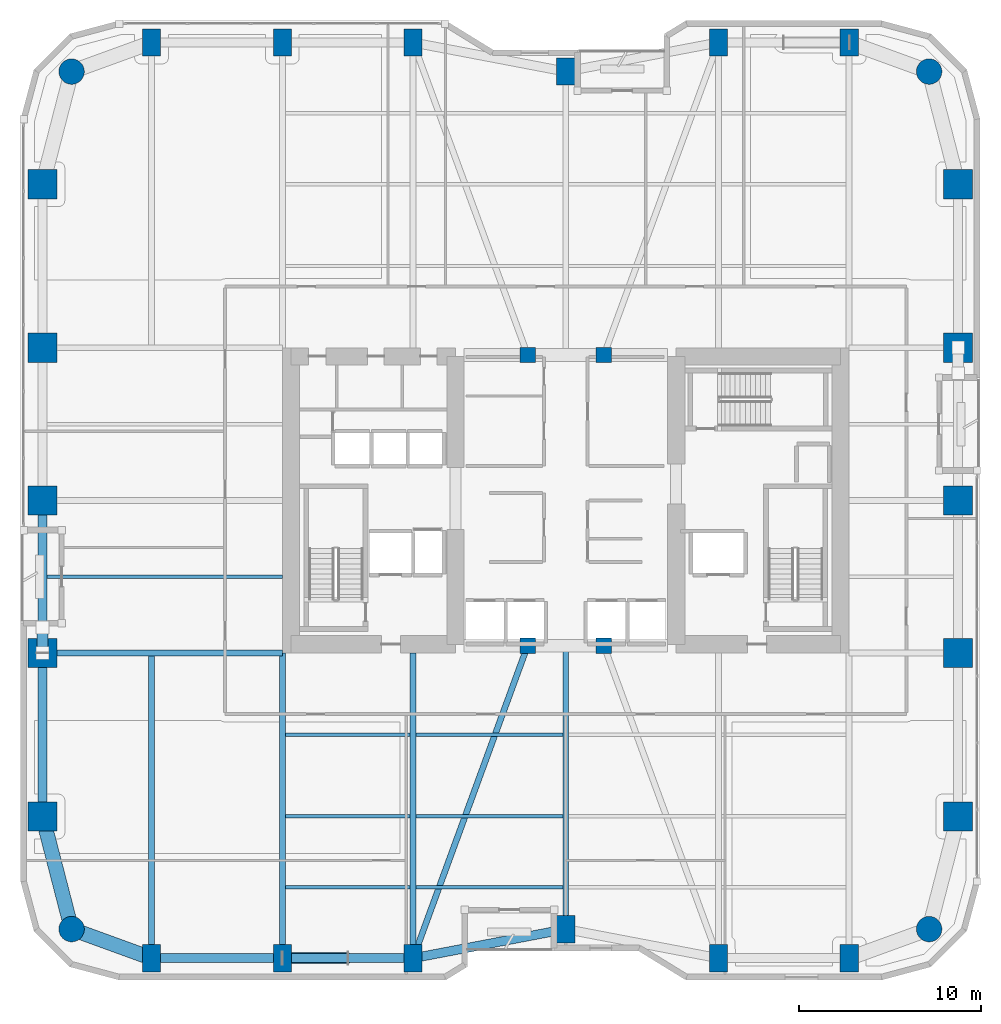
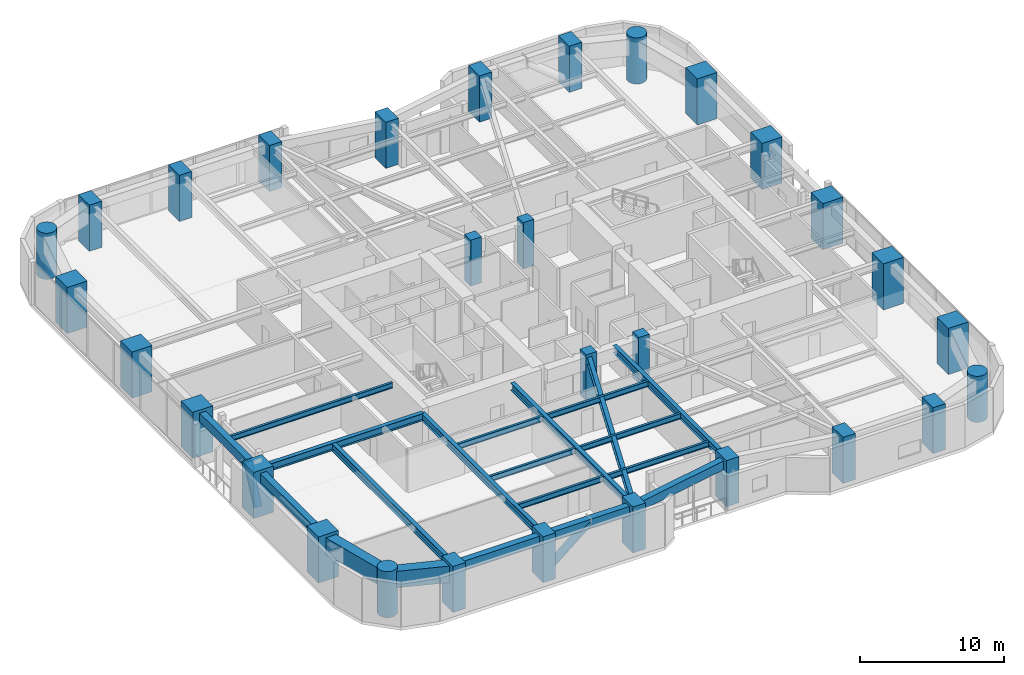
# One storey, part 1 of 24: 30 columns, 20 beams, 2 members.
"""IFC4 building model written with IfcOpenShell, lengths in metres."""

from ifc_helpers import new_model, si_unit, direction, frame, origin, origin_2d, place, context, subcontext, project, spatial, rectangle, circle, hollow_circle, i_section, extrude, material, material_profile, profile_set, type_object, element, save


model = new_model("IFC4")

# Units and contexts
model_context = context("Model", 3, precision=1e-05, world=origin(), true_north=direction((0.0, 1.0)))
body_context = subcontext(model_context, "Body", "Model", "MODEL_VIEW")
ifc_project = project(units=[si_unit("LENGTHUNIT", "METRE"), si_unit("AREAUNIT", "SQUARE_METRE"), si_unit("VOLUMEUNIT", "CUBIC_METRE"), si_unit("PLANEANGLEUNIT", "RADIAN"), si_unit("MASSUNIT", "GRAM", prefix="KILO")], contexts=[model_context])

# Site, building, storey
site_placement = place(None, origin())
site = spatial("IfcSite", under=ifc_project, at=site_placement, CompositionType="ELEMENT")
building_placement = place(site_placement, origin())
building = spatial("IfcBuilding", under=site, at=building_placement, Name="Kiyonajd Concourse Tower", CompositionType="ELEMENT")
storey_placement = place(building_placement, frame((0.0, 0.0, 85.800048828125)))
storey = spatial("IfcBuildingStorey", under=building, at=storey_placement, Name="L22", CompositionType="ELEMENT", Elevation=85.800048828125)

# Columns
ifc_material_1 = material(Name="Concrete C80/95", Category="concrete")
ifc_material_profile_1 = material_profile(ifc_material_1, rectangle(XDim=1.0, YDim=1.5, at=origin_2d()), Name="RC-1500x1000")
ifc_profile_set_1 = profile_set([ifc_material_profile_1], Name="Concrete C80/95")
column_type_1 = type_object("IfcColumnType", Name="CL-BLADE-1500", PredefinedType="COLUMN", material=ifc_profile_set_1)
for number, where, z_axis, x_axis, name in (
    (1, (25.199951171875, 10.800048828125, 0.0), (0.0, 0.0, 1.0), (1.0, 0.0, 0.0), "L22 Perimeter Bundled Tube Column"),
    (2, (25.199951171875, 61.199951171875, 0.0), (0.0, 0.0, 1.0), (1.0, 0.0, 0.0), "L22 Perimeter Bundled Tube Column"),
    (3, (32.39990234375, 10.800048828125, 0.0), (0.0, 0.0, 1.0), (1.0, 0.0, 0.0), "L22 Perimeter Bundled Tube Column"),
    (4, (32.39990234375, 61.199951171875, 0.0), (0.0, 0.0, 1.0), (1.0, 0.0, 0.0), "L22 Perimeter Bundled Tube Column"),
    (5, (39.60009765625, 10.800048828125, 0.0), (0.0, 0.0, 1.0), (1.0, 0.0, 0.0), "L22 Perimeter Bundled Tube Column"),
    (6, (39.60009765625, 61.199951171875, 0.0), (0.0, 0.0, 1.0), (1.0, 0.0, 0.0), "L22 Perimeter Bundled Tube Column"),
    (7, (48.0, 12.39990234375, 0.0), (0.0, 0.0, 1.0), (1.0, 0.0, 0.0), "L22 Perimeter Bundled Tube Column"),
    (8, (48.0, 59.60009765625, 0.0), (0.0, 0.0, 1.0), (1.0, 0.0, 0.0), "L22 Perimeter Bundled Tube Column"),
    (9, (56.39990234375, 10.800048828125, 0.0), (0.0, 0.0, 1.0), (1.0, 0.0, 0.0), "L22 Perimeter Bundled Tube Column"),
    (10, (56.39990234375, 61.199951171875, 0.0), (0.0, 0.0, 1.0), (1.0, 0.0, 0.0), "L22 Perimeter Bundled Tube Column"),
    (11, (63.60009765625, 10.800048828125, 0.0), (0.0, 0.0, 1.0), (1.0, 0.0, 0.0), "L22 Perimeter Bundled Tube Column"),
    (12, (63.60009765625, 61.199951171875, 0.0), (0.0, 0.0, 1.0), (1.0, 0.0, 0.0), "L22 Perimeter Bundled Tube Column"),
):
    element("IfcColumn", number, at=place(storey_placement, frame(where, z_axis=z_axis, x_axis=x_axis)), inside=storey, type_object=column_type_1, Name=name, PredefinedType="COLUMN", context=body_context, shape_type="SweptSolid", body=[
        extrude(rectangle(XDim=1.0, YDim=1.5, at=origin_2d()), origin(), (0.0, 0.0, 1.0), 3.89990234375),
    ])
ifc_material_profile_2 = material_profile(ifc_material_1, circle(Radius=0.699951171875, at=origin_2d()), Name="RCC-D1400")
ifc_profile_set_2 = profile_set([ifc_material_profile_2], Name="Concrete C80/95")
column_type_2 = type_object("IfcColumnType", Name="CL-RND-1400", PredefinedType="COLUMN", material=ifc_profile_set_2)
for number, where, z_axis, x_axis, name in (
    (13, (20.800048828125, 12.39990234375, 0.0), (0.0, 0.0, 1.0), (1.0, 0.0, 0.0), "L22 Bundled Tube Corner Column South West"),
    (14, (68.0, 12.39990234375, 0.0), (0.0, 0.0, 1.0), (1.0, 0.0, 0.0), "L22 Bundled Tube Corner Column South East"),
    (15, (68.0, 59.60009765625, 0.0), (0.0, 0.0, 1.0), (1.0, 0.0, 0.0), "L22 Bundled Tube Corner Column North East"),
    (16, (20.800048828125, 59.60009765625, 0.0), (0.0, 0.0, 1.0), (1.0, 0.0, 0.0), "L22 Bundled Tube Corner Column North West"),
):
    element("IfcColumn", number, at=place(storey_placement, frame(where, z_axis=z_axis, x_axis=x_axis)), inside=storey, type_object=column_type_2, Name=name, PredefinedType="COLUMN", context=body_context, shape_type="SweptSolid", body=[
        extrude(circle(Radius=0.699951171875, at=origin_2d()), origin(), (0.0, 0.0, 1.0), 3.89990234375),
    ])
ifc_material_profile_3 = material_profile(ifc_material_1, rectangle(XDim=1.60009765625, YDim=1.60009765625, at=origin_2d()), Name="RC-1600x1600")
ifc_profile_set_3 = profile_set([ifc_material_profile_3], Name="Concrete C80/95")
column_type_3 = type_object("IfcColumnType", Name="CL-TUBE-1600", PredefinedType="COLUMN", material=ifc_profile_set_3)
for number, where, z_axis, x_axis, name in (
    (17, (19.199951171875, 18.60009765625, 0.0), (0.0, 0.0, 1.0), (1.0, 0.0, 0.0), "L22 Perimeter Bundled Tube Column"),
    (18, (69.60009765625, 18.60009765625, 0.0), (0.0, 0.0, 1.0), (1.0, 0.0, 0.0), "L22 Perimeter Bundled Tube Column"),
    (19, (19.199951171875, 27.60009765625, 0.0), (0.0, 0.0, 1.0), (1.0, 0.0, 0.0), "L22 Perimeter Bundled Tube Column"),
    (20, (69.60009765625, 27.60009765625, 0.0), (0.0, 0.0, 1.0), (1.0, 0.0, 0.0), "L22 Perimeter Bundled Tube Column"),
    (21, (19.199951171875, 36.0, 0.0), (0.0, 0.0, 1.0), (1.0, 0.0, 0.0), "L22 Perimeter Bundled Tube Column"),
    (22, (69.60009765625, 36.0, 0.0), (0.0, 0.0, 1.0), (1.0, 0.0, 0.0), "L22 Perimeter Bundled Tube Column"),
    (23, (19.199951171875, 44.39990234375, 0.0), (0.0, 0.0, 1.0), (1.0, 0.0, 0.0), "L22 Perimeter Bundled Tube Column"),
    (24, (69.60009765625, 44.39990234375, 0.0), (0.0, 0.0, 1.0), (1.0, 0.0, 0.0), "L22 Perimeter Bundled Tube Column"),
    (25, (19.199951171875, 53.39990234375, 0.0), (0.0, 0.0, 1.0), (1.0, 0.0, 0.0), "L22 Perimeter Bundled Tube Column"),
    (26, (69.60009765625, 53.39990234375, 0.0), (0.0, 0.0, 1.0), (1.0, 0.0, 0.0), "L22 Perimeter Bundled Tube Column"),
):
    element("IfcColumn", number, at=place(storey_placement, frame(where, z_axis=z_axis, x_axis=x_axis)), inside=storey, type_object=column_type_3, Name=name, PredefinedType="COLUMN", context=body_context, shape_type="SweptSolid", body=[
        extrude(rectangle(XDim=1.60009765625, YDim=1.60009765625, at=origin_2d()), origin(), (0.0, 0.0, 1.0), 3.89990234375),
    ])
ifc_material_2 = material(Name="Concrete C60/75", Category="concrete")
ifc_material_profile_4 = material_profile(ifc_material_2, rectangle(XDim=0.85009765625, YDim=0.85009765625, at=origin_2d()), Name="RC-850x850")
ifc_profile_set_4 = profile_set([ifc_material_profile_4], Name="Concrete C60/75")
column_type_4 = type_object("IfcColumnType", Name="CL-TUBE-850", PredefinedType="COLUMN", material=ifc_profile_set_4)
for number, where, z_axis, x_axis, name in (
    (27, (45.89990234375, 28.0, 0.0), (0.0, 0.0, 1.0), (1.0, 0.0, 0.0), "L22 Core Tie Column South West"),
    (28, (50.10009765625, 28.0, 0.0), (0.0, 0.0, 1.0), (1.0, 0.0, 0.0), "L22 Core Tie Column South East"),
    (29, (45.89990234375, 44.0, 0.0), (0.0, 0.0, 1.0), (1.0, 0.0, 0.0), "L22 Core Tie Column North West"),
    (30, (50.10009765625, 44.0, 0.0), (0.0, 0.0, 1.0), (1.0, 0.0, 0.0), "L22 Core Tie Column North East"),
):
    element("IfcColumn", number, at=place(storey_placement, frame(where, z_axis=z_axis, x_axis=x_axis)), inside=storey, type_object=column_type_4, Name=name, PredefinedType="COLUMN", context=body_context, shape_type="SweptSolid", body=[
        extrude(rectangle(XDim=0.85009765625, YDim=0.85009765625, at=origin_2d()), origin(), (0.0, 0.0, 1.0), 3.89990234375),
    ])

# Beams
ifc_material_3 = material(Name="Steel ASTM A992 Grade 50", Category="steel")
ifc_material_profile_5 = material_profile(ifc_material_3, i_section(OverallWidth=0.19189453125, OverallDepth=0.462890625, WebThickness=0.010498046875, FlangeThickness=0.017578125, at=origin_2d()), Name="W460X89")
ifc_profile_set_5 = profile_set([ifc_material_profile_5], Name="Steel ASTM A992 Grade 50")
beam_type_1 = type_object("IfcBeamType", Name="BM-JST-460B", PredefinedType="JOIST", material=ifc_profile_set_5)
beam_1_placement = place(storey_placement, frame((32.5634765625, 14.699951171875, 3.408447265625), z_axis=(1.0, 0.0, 0.0), x_axis=(0.0, 1.0, 0.0)))
element("IfcBeam", 31, at=beam_1_placement, inside=storey, type_object=beam_type_1, Name="L22 Secondary Floor Joist", PredefinedType="JOIST", context=body_context, shape_type="SweptSolid", body=[
    extrude(i_section(OverallWidth=0.19189453125, OverallDepth=0.462890625, WebThickness=0.010498046875, FlangeThickness=0.017578125, at=origin_2d()), origin(), (0.0, 0.0, 1.0), 6.873046875),
])
beam_2_placement = place(storey_placement, frame((39.763427734375, 14.699951171875, 3.408447265625), z_axis=(1.0, 0.0, 0.0), x_axis=(0.0, 1.0, 0.0)))
element("IfcBeam", 32, at=beam_2_placement, inside=storey, type_object=beam_type_1, Name="L22 Secondary Floor Joist", PredefinedType="JOIST", context=body_context, shape_type="SweptSolid", body=[
    extrude(i_section(OverallWidth=0.19189453125, OverallDepth=0.462890625, WebThickness=0.010498046875, FlangeThickness=0.017578125, at=origin_2d()), origin(), (0.0, 0.0, 1.0), 8.072998046875),
])
beam_3_placement = place(storey_placement, frame((32.5634765625, 18.60009765625, 3.408447265625), z_axis=(1.0, 0.0, 0.0), x_axis=(0.0, 1.0, 0.0)))
element("IfcBeam", 33, at=beam_3_placement, inside=storey, type_object=beam_type_1, Name="L22 Secondary Floor Joist", PredefinedType="JOIST", context=body_context, shape_type="SweptSolid", body=[
    extrude(i_section(OverallWidth=0.19189453125, OverallDepth=0.462890625, WebThickness=0.010498046875, FlangeThickness=0.017578125, at=origin_2d()), origin(), (0.0, 0.0, 1.0), 6.873046875),
])
beam_4_placement = place(storey_placement, frame((39.763427734375, 18.60009765625, 3.408447265625), z_axis=(1.0, 0.0, 0.0), x_axis=(0.0, 1.0, 0.0)))
element("IfcBeam", 34, at=beam_4_placement, inside=storey, type_object=beam_type_1, Name="L22 Secondary Floor Joist", PredefinedType="JOIST", context=body_context, shape_type="SweptSolid", body=[
    extrude(i_section(OverallWidth=0.19189453125, OverallDepth=0.462890625, WebThickness=0.010498046875, FlangeThickness=0.017578125, at=origin_2d()), origin(), (0.0, 0.0, 1.0), 8.072998046875),
])
beam_5_placement = place(storey_placement, frame((32.5634765625, 23.10009765625, 3.408447265625), z_axis=(1.0, 0.0, 0.0), x_axis=(0.0, 1.0, 0.0)))
element("IfcBeam", 35, at=beam_5_placement, inside=storey, type_object=beam_type_1, Name="L22 Secondary Floor Joist", PredefinedType="JOIST", context=body_context, shape_type="SweptSolid", body=[
    extrude(i_section(OverallWidth=0.19189453125, OverallDepth=0.462890625, WebThickness=0.010498046875, FlangeThickness=0.017578125, at=origin_2d()), origin(), (0.0, 0.0, 1.0), 6.873046875),
])
beam_6_placement = place(storey_placement, frame((39.763427734375, 23.10009765625, 3.408447265625), z_axis=(1.0, 0.0, 0.0), x_axis=(0.0, 1.0, 0.0)))
element("IfcBeam", 36, at=beam_6_placement, inside=storey, type_object=beam_type_1, Name="L22 Secondary Floor Joist", PredefinedType="JOIST", context=body_context, shape_type="SweptSolid", body=[
    extrude(i_section(OverallWidth=0.19189453125, OverallDepth=0.462890625, WebThickness=0.010498046875, FlangeThickness=0.017578125, at=origin_2d()), origin(), (0.0, 0.0, 1.0), 8.072998046875),
])
beam_7_placement = place(storey_placement, frame((19.449951171875, 31.800048828125, 3.408447265625), z_axis=(1.0, 0.0, 0.0), x_axis=(0.0, 1.0, 0.0)))
element("IfcBeam", 37, at=beam_7_placement, inside=storey, type_object=beam_type_1, Name="L22 West Secondary Floor Joist", PredefinedType="JOIST", context=body_context, shape_type="SweptSolid", body=[
    extrude(i_section(OverallWidth=0.19189453125, OverallDepth=0.462890625, WebThickness=0.010498046875, FlangeThickness=0.017578125, at=origin_2d()), origin(), (0.0, 0.0, 1.0), 12.949951171875),
])
ifc_material_4 = material(Name="Precast concrete C50/60", Category="concrete")
ifc_material_profile_6 = material_profile(ifc_material_4, rectangle(XDim=0.5, YDim=0.75, at=origin_2d()), Name="RCBM-500x750")
ifc_profile_set_6 = profile_set([ifc_material_profile_6], Name="Precast concrete C50/60")
beam_type_2 = type_object("IfcBeamType", Name="BM-SPAN-RC", PredefinedType="SPANDREL", material=ifc_profile_set_6)
beam_8_placement = place(storey_placement, frame((19.199951171875, 27.60009765625, 3.264892578125), z_axis=(0.0, -1.0, 0.0), x_axis=(1.0, 0.0, 0.0)))
element("IfcBeam", 38, at=beam_8_placement, inside=storey, type_object=beam_type_2, Name="L22 Perimeter Bundled Tube Spandrel", PredefinedType="SPANDREL", context=body_context, shape_type="SweptSolid", body=[
    extrude(rectangle(XDim=0.5, YDim=0.75, at=origin_2d()), origin(), (0.0, 0.0, 1.0), 9.0),
])
beam_9_placement = place(storey_placement, frame((25.199951171875, 10.800048828125, 3.264892578125), z_axis=(1.0, 0.0, 0.0), x_axis=(0.0, 1.0, 0.0)))
element("IfcBeam", 39, at=beam_9_placement, inside=storey, type_object=beam_type_2, Name="L22 Perimeter Bundled Tube Spandrel", PredefinedType="SPANDREL", context=body_context, shape_type="SweptSolid", body=[
    extrude(rectangle(XDim=0.5, YDim=0.75, at=origin_2d()), origin(), (0.0, 0.0, 1.0), 7.199951171875),
])
beam_10_placement = place(storey_placement, frame((32.39990234375, 10.800048828125, 3.264892578125), z_axis=(1.0, 0.0, 0.0), x_axis=(0.0, 1.0, 0.0)))
element("IfcBeam", 40, at=beam_10_placement, inside=storey, type_object=beam_type_2, Name="L22 Perimeter Bundled Tube Spandrel", PredefinedType="SPANDREL", context=body_context, shape_type="SweptSolid", body=[
    extrude(rectangle(XDim=0.5, YDim=0.75, at=origin_2d()), origin(), (0.0, 0.0, 1.0), 7.2001953125),
])
beam_11_placement = place(storey_placement, frame((39.60009765625, 10.800048828125, 3.264892578125), z_axis=(0.982341315253, 0.187097675953, 0.0), x_axis=(-0.187097675953, 0.982341315253, 0.0)))
element("IfcBeam", 41, at=beam_11_placement, inside=storey, type_object=beam_type_2, Name="L22 Perimeter Bundled Tube Spandrel", PredefinedType="SPANDREL", context=body_context, shape_type="SweptSolid", body=[
    extrude(rectangle(XDim=0.5, YDim=0.75, at=origin_2d()), origin(), (0.0, 0.0, 1.0), 8.55078125),
])
beam_12_placement = place(storey_placement, frame((19.199951171875, 36.0, 3.264892578125), z_axis=(0.0, -1.0, 0.0), x_axis=(1.0, 0.0, 0.0)))
element("IfcBeam", 42, at=beam_12_placement, inside=storey, type_object=beam_type_2, Name="L22 Perimeter Bundled Tube Spandrel", PredefinedType="SPANDREL", context=body_context, shape_type="SweptSolid", body=[
    extrude(rectangle(XDim=0.5, YDim=0.75, at=origin_2d()), origin(), (0.0, 0.0, 1.0), 8.39990234375),
])
ifc_material_profile_7 = material_profile(ifc_material_3, i_section(OverallWidth=0.326904296875, OverallDepth=0.6220703125, WebThickness=0.015380859375, FlangeThickness=0.0244140625, at=origin_2d()), Name="W610X195")
ifc_profile_set_7 = profile_set([ifc_material_profile_7], Name="Steel ASTM A992 Grade 50")
beam_type_3 = type_object("IfcBeamType", Name="BM-TWR-610A", PredefinedType="BEAM", material=ifc_profile_set_7)
beam_13_placement = place(storey_placement, frame((39.60009765625, 10.800048828125, 3.328857421875), z_axis=(0.343925269715, 0.938997022813, 0.0), x_axis=(-0.938997022813, 0.343925269715, 0.0)))
element("IfcBeam", 43, at=beam_13_placement, inside=storey, type_object=beam_type_3, Name="L22 Core Tie Girder", PredefinedType="BEAM", context=body_context, shape_type="SweptSolid", body=[
    extrude(i_section(OverallWidth=0.326904296875, OverallDepth=0.6220703125, WebThickness=0.015380859375, FlangeThickness=0.0244140625, at=origin_2d()), origin(), (0.0, 0.0, 1.0), 18.3173828125),
])
for number, where, z_axis, x_axis, name in (
    (44, (25.199951171875, 10.800048828125, 3.328857421875), (0.0, 1.0, 0.0), (-1.0, 0.0, 0.0), "L22 South Lease Girder"),
    (45, (32.39990234375, 10.800048828125, 3.328857421875), (0.0, 1.0, 0.0), (-1.0, 0.0, 0.0), "L22 South Lease Girder"),
    (46, (39.60009765625, 10.800048828125, 3.328857421875), (0.0, 1.0, 0.0), (-1.0, 0.0, 0.0), "L22 South Lease Girder"),
):
    element("IfcBeam", number, at=place(storey_placement, frame(where, z_axis=z_axis, x_axis=x_axis)), inside=storey, type_object=beam_type_3, Name=name, PredefinedType="BEAM", context=body_context, shape_type="SweptSolid", body=[
        extrude(i_section(OverallWidth=0.326904296875, OverallDepth=0.6220703125, WebThickness=0.015380859375, FlangeThickness=0.0244140625, at=origin_2d()), origin(), (0.0, 0.0, 1.0), 16.800048828125),
    ])
beam_14_placement = place(storey_placement, frame((48.0, 12.39990234375, 3.328857421875), z_axis=(0.0, 1.0, 0.0), x_axis=(-1.0, 0.0, 0.0)))
element("IfcBeam", 47, at=beam_14_placement, inside=storey, type_object=beam_type_3, Name="L22 South Ribbon Girder", PredefinedType="BEAM", context=body_context, shape_type="SweptSolid", body=[
    extrude(i_section(OverallWidth=0.326904296875, OverallDepth=0.6220703125, WebThickness=0.015380859375, FlangeThickness=0.0244140625, at=origin_2d()), origin(), (0.0, 0.0, 1.0), 15.60009765625),
])
beam_15_placement = place(storey_placement, frame((19.199951171875, 27.60009765625, 3.328857421875), z_axis=(1.0, 0.0, 0.0), x_axis=(0.0, 1.0, 0.0)))
element("IfcBeam", 48, at=beam_15_placement, inside=storey, type_object=beam_type_3, Name="L22 West Lease Girder", PredefinedType="BEAM", context=body_context, shape_type="SweptSolid", body=[
    extrude(i_section(OverallWidth=0.326904296875, OverallDepth=0.6220703125, WebThickness=0.015380859375, FlangeThickness=0.0244140625, at=origin_2d()), origin(), (0.0, 0.0, 1.0), 13.199951171875),
])
ifc_material_profile_8 = material_profile(ifc_material_2, rectangle(XDim=0.800048828125, YDim=1.39990234375, at=origin_2d()), Name="RCBM-800x1400")
ifc_profile_set_8 = profile_set([ifc_material_profile_8], Name="Concrete C60/75")
beam_type_4 = type_object("IfcBeamType", Name="BM-XFER-RC", PredefinedType="BEAM", material=ifc_profile_set_8)
beam_16_placement = place(storey_placement, frame((19.199951171875, 18.60009765625, 2.93994140625), z_axis=(0.249884937687, -0.968275538221, 0.0), x_axis=(0.968275538221, 0.249884937687, 0.0)))
element("IfcBeam", 49, at=beam_16_placement, inside=storey, type_object=beam_type_4, Name="L22 Perimeter Bundled Tube Spandrel", PredefinedType="BEAM", context=body_context, shape_type="SweptSolid", body=[
    extrude(rectangle(XDim=0.800048828125, YDim=1.39990234375, at=origin_2d()), origin(), (0.0, 0.0, 1.0), 6.4033203125),
])
beam_17_placement = place(storey_placement, frame((20.800048828125, 12.39990234375, 2.93994140625), z_axis=(0.939801036019, -0.341722127901, 0.0), x_axis=(0.341722127901, 0.939801036019, 0.0)))
element("IfcBeam", 50, at=beam_17_placement, inside=storey, type_object=beam_type_4, Name="L22 Perimeter Bundled Tube Spandrel", PredefinedType="BEAM", context=body_context, shape_type="SweptSolid", body=[
    extrude(rectangle(XDim=0.800048828125, YDim=1.39990234375, at=origin_2d()), origin(), (0.0, 0.0, 1.0), 4.681640625),
])

# Members
ifc_material_5 = material(Name="Steel ASTM A572 Grade 50", Category="steel")
ifc_material_profile_9 = material_profile(ifc_material_5, hollow_circle(Radius=0.304931640625, WallThickness=0.02490234375, at=origin_2d()), Name="CHS-610x25")
ifc_profile_set_9 = profile_set([ifc_material_profile_9], Name="Steel ASTM A572 Grade 50")
member_type = type_object("IfcMemberType", Name="MB-PB-LOW", PredefinedType="BRACE", material=ifc_profile_set_9)
member_1_placement = place(storey_placement, frame((32.39990234375, 10.800048828125, 0.300048828125), z_axis=(0.769280705518, 0.0, 0.638910945373), x_axis=(0.0, 1.0, 0.0)))
element("IfcMember", 51, at=member_1_placement, inside=storey, type_object=member_type, Name="L22 Lower Zone Welded Tube Brace PBS", PredefinedType="BRACE", context=body_context, shape_type="SweptSolid", body=[
    extrude(hollow_circle(Radius=0.304931640625, WallThickness=0.02490234375, at=origin_2d()), origin(), (0.0, 0.0, 1.0), 4.679931640625),
])
member_2_placement = place(storey_placement, frame((19.199951171875, 27.60009765625, 0.300048828125), z_axis=(0.0, 0.424022702926, 0.905651559598), x_axis=(-1.0, 0.0, 0.0)))
element("IfcMember", 52, at=member_2_placement, inside=storey, type_object=member_type, Name="L22 Lower Zone Welded Tube Brace PBW", PredefinedType="BRACE", context=body_context, shape_type="SweptSolid", body=[
    extrude(hollow_circle(Radius=0.304931640625, WallThickness=0.02490234375, at=origin_2d()), origin(), (0.0, 0.0, 1.0), 3.301513671875),
])

save(model, "model.ifc")
